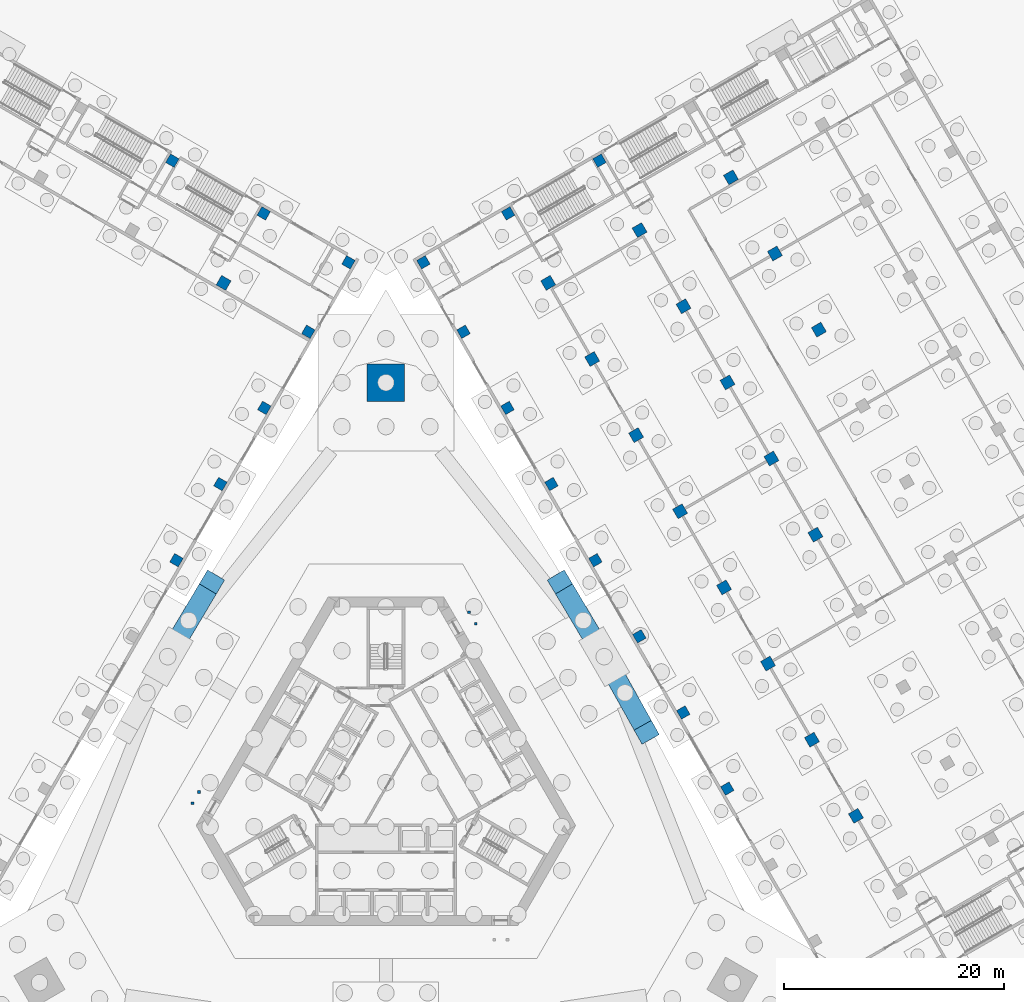
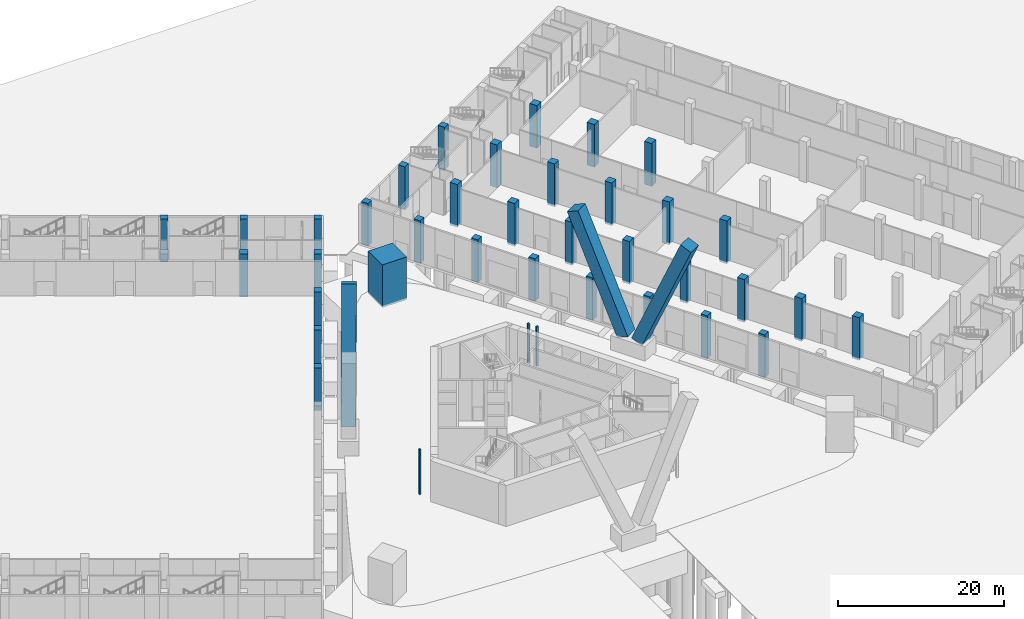
# One storey, part 7 of 38: 42 columns.
"""IFC4 building model written with IfcOpenShell, lengths in metres."""

from ifc_helpers import new_model, si_unit, direction, frame, origin, origin_2d, place, context, subcontext, project, spatial, rectangle, extrude, material, material_profile, profile_set, type_object, element, save


model = new_model("IFC4")

# Units and contexts
model_context = context("Model", 3, precision=1e-05, world=origin(), true_north=direction((0.0, 1.0)))
body_context = subcontext(model_context, "Body", "Model", "MODEL_VIEW")
ifc_project = project(units=[si_unit("LENGTHUNIT", "METRE"), si_unit("AREAUNIT", "SQUARE_METRE"), si_unit("VOLUMEUNIT", "CUBIC_METRE"), si_unit("PLANEANGLEUNIT", "RADIAN"), si_unit("MASSUNIT", "GRAM", prefix="KILO")], contexts=[model_context])

# Site, building, storey
site_placement = place(None, origin())
site = spatial("IfcSite", under=ifc_project, at=site_placement, CompositionType="ELEMENT")
building_placement = place(site_placement, origin())
building = spatial("IfcBuilding", under=site, at=building_placement, Name="Mestral Congress Tower", CompositionType="ELEMENT")
storey_placement = place(building_placement, origin())
storey = spatial("IfcBuildingStorey", under=building, at=storey_placement, Name="L00", CompositionType="ELEMENT", Elevation=0.0)

# Columns
ifc_material_1 = material(Name="Concrete C80/95", Category="concrete")
ifc_material_profile_1 = material_profile(ifc_material_1, rectangle(XDim=3.39990234375, YDim=3.39990234375, at=origin_2d()), Name="RC 3400x3400")
ifc_profile_set_1 = profile_set([ifc_material_profile_1], Name="Concrete C80/95")
column_type_1 = type_object("IfcColumnType", Name="Mega column RC 3400x3400 C80/95", PredefinedType="COLUMN", material=ifc_profile_set_1)
column_placement = place(storey_placement, frame((0.0, 36.39892578125, -0.300048828125), z_axis=(0.0, 0.0, 1.0), x_axis=(0.0, 1.0, 0.0)))
element("IfcColumn", 1, at=column_placement, inside=storey, type_object=column_type_1, Name="COL-L00-PY1-N", PredefinedType="COLUMN", context=body_context, shape_type="SweptSolid", body=[
    extrude(rectangle(XDim=3.39990234375, YDim=3.39990234375, at=origin_2d()), origin(), (0.0, 0.0, 1.0), 6.300048828125),
])
ifc_material_2 = material(Name="Concrete C60/75", Category="concrete")
ifc_material_profile_2 = material_profile(ifc_material_2, rectangle(XDim=1.0, YDim=1.0, at=origin_2d()), Name="RC 1000x1000")
ifc_profile_set_2 = profile_set([ifc_material_profile_2], Name="Concrete C60/75")
column_type_2 = type_object("IfcColumnType", Name="Podium column RC 1000x1000 C60/75", PredefinedType="COLUMN", material=ifc_profile_set_2)
for number, where, z_axis, x_axis, name in (
    (2, (42.76806640625, -3.0205078125, -0.300048828125), (0.0, 0.0, 1.0), (-0.5, 0.866025403784, 0.0), "COL-L00-PC-E-03B"),
    (3, (38.76806640625, 3.90771484375, -0.300048828125), (0.0, 0.0, 1.0), (-0.5, 0.866025403784, 0.0), "COL-L00-PC-E-04B"),
    (4, (34.76806640625, 10.835693359375, -0.300048828125), (0.0, 0.0, 1.0), (-0.5, 0.866025403784, 0.0), "COL-L00-PC-E-05B"),
    (5, (30.76806640625, 17.763916015625, -0.300048828125), (0.0, 0.0, 1.0), (-0.5, 0.866025403784, 0.0), "COL-L00-PC-E-06B"),
    (6, (39.08203125, 22.56396484375, -0.300048828125), (0.0, 0.0, 1.0), (-0.5, 0.866025403784, 0.0), "COL-L00-PC-E-06C"),
    (7, (26.76806640625, 24.692138671875, -0.300048828125), (0.0, 0.0, 1.0), (-0.5, 0.866025403784, 0.0), "COL-L00-PC-E-07B"),
    (8, (35.08203125, 29.4921875, -0.300048828125), (0.0, 0.0, 1.0), (-0.5, 0.866025403784, 0.0), "COL-L00-PC-E-07C"),
    (9, (22.76806640625, 31.620361328125, -0.300048828125), (0.0, 0.0, 1.0), (-0.5, 0.866025403784, 0.0), "COL-L00-PC-E-08B"),
    (10, (31.08203125, 36.42041015625, -0.300048828125), (0.0, 0.0, 1.0), (-0.5, 0.866025403784, 0.0), "COL-L00-PC-E-08C"),
    (11, (39.395751953125, 41.220458984375, -0.300048828125), (0.0, 0.0, 1.0), (-0.5, 0.866025403784, 0.0), "COL-L00-PC-E-08D"),
    (12, (18.76806640625, 38.548583984375, -0.300048828125), (0.0, 0.0, 1.0), (-0.5, 0.866025403784, 0.0), "COL-L00-PC-E-09B"),
    (13, (27.08203125, 43.3486328125, -0.300048828125), (0.0, 0.0, 1.0), (-0.5, 0.866025403784, 0.0), "COL-L00-PC-E-09C"),
    (14, (35.395751953125, 48.148681640625, -0.300048828125), (0.0, 0.0, 1.0), (-0.5, 0.866025403784, 0.0), "COL-L00-PC-E-09D"),
    (15, (14.76806640625, 45.476806640625, -0.300048828125), (0.0, 0.0, 1.0), (-0.5, 0.866025403784, 0.0), "COL-L00-PC-E-10B"),
    (16, (23.08203125, 50.27685546875, -0.300048828125), (0.0, 0.0, 1.0), (-0.5, 0.866025403784, 0.0), "COL-L00-PC-E-10C"),
    (17, (31.395751953125, 55.076904296875, -0.300048828125), (0.0, 0.0, 1.0), (-0.5, 0.866025403784, 0.0), "COL-L00-PC-E-10D"),
    (18, (-14.76806640625, 45.476806640625, -0.300048828125), (0.0, 0.0, 1.0), (-0.5, -0.866025403784, 0.0), "COL-L00-PC-W-02B"),
):
    element("IfcColumn", number, at=place(storey_placement, frame(where, z_axis=z_axis, x_axis=x_axis)), inside=storey, type_object=column_type_2, Name=name, PredefinedType="COLUMN", context=body_context, shape_type="SweptSolid", body=[
        extrude(rectangle(XDim=1.0, YDim=1.0, at=origin_2d()), origin(), (0.0, 0.0, 1.0), 6.300048828125),
    ])
ifc_material_3 = material(Name="Concrete C50/60", Category="concrete")
ifc_material_profile_3 = material_profile(ifc_material_3, rectangle(XDim=0.89990234375, YDim=0.89990234375, at=origin_2d()), Name="RC 900x900")
ifc_profile_set_3 = profile_set([ifc_material_profile_3], Name="Concrete C50/60")
column_type_3 = type_object("IfcColumnType", Name="Podium column RC 900x900 C50/60", PredefinedType="COLUMN", material=ifc_profile_set_3)
for number, where, z_axis, x_axis, name in (
    (19, (31.060546875, -0.54248046875, -0.300048828125), (0.0, 0.0, 1.0), (-0.5, 0.866025403784, 0.0), "COL-L00-PC-E-04A"),
    (20, (27.060546875, 6.3857421875, -0.300048828125), (0.0, 0.0, 1.0), (-0.5, 0.866025403784, 0.0), "COL-L00-PC-E-05A"),
    (21, (23.060546875, 13.31396484375, -0.300048828125), (0.0, 0.0, 1.0), (-0.5, 0.866025403784, 0.0), "COL-L00-PC-E-06A"),
    (22, (19.060546875, 20.2421875, -0.300048828125), (0.0, 0.0, 1.0), (-0.5, 0.866025403784, 0.0), "COL-L00-PC-E-07A"),
    (23, (15.060546875, 27.17041015625, -0.300048828125), (0.0, 0.0, 1.0), (-0.5, 0.866025403784, 0.0), "COL-L00-PC-E-08A"),
    (24, (11.060546875, 34.0986328125, -0.300048828125), (0.0, 0.0, 1.0), (-0.5, 0.866025403784, 0.0), "COL-L00-PC-E-09A"),
    (25, (7.060546875, 41.02685546875, -0.300048828125), (0.0, 0.0, 1.0), (-0.5, 0.866025403784, 0.0), "COL-L00-PC-E-10A"),
    (26, (3.410400390625, 47.348876953125, -0.300048828125), (0.0, 0.0, 1.0), (-0.5, 0.866025403784, 0.0), "COL-L00-PC-E-11A"),
    (27, (11.1181640625, 51.798828125, -0.300048828125), (0.0, 0.0, 1.0), (-0.5, 0.866025403784, 0.0), "COL-L00-PC-E-11B"),
    (28, (19.431884765625, 56.598876953125, -0.300048828125), (0.0, 0.0, 1.0), (-0.5, 0.866025403784, 0.0), "COL-L00-PC-E-11C"),
    (29, (-3.410400390625, 47.348876953125, -0.300048828125), (0.0, 0.0, 1.0), (-0.5, -0.866025403784, 0.0), "COL-L00-PC-W-01A"),
    (30, (-11.1181640625, 51.798828125, -0.300048828125), (0.0, 0.0, 1.0), (-0.5, -0.866025403784, 0.0), "COL-L00-PC-W-01B"),
    (31, (-19.431884765625, 56.598876953125, -0.300048828125), (0.0, 0.0, 1.0), (-0.5, -0.866025403784, 0.0), "COL-L00-PC-W-01C"),
    (32, (-7.060546875, 41.02685546875, -0.300048828125), (0.0, 0.0, 1.0), (-0.5, -0.866025403784, 0.0), "COL-L00-PC-W-02A"),
    (33, (-11.060546875, 34.0986328125, -0.300048828125), (0.0, 0.0, 1.0), (-0.5, -0.866025403784, 0.0), "COL-L00-PC-W-03A"),
    (34, (-15.060546875, 27.17041015625, -0.300048828125), (0.0, 0.0, 1.0), (-0.5, -0.866025403784, 0.0), "COL-L00-PC-W-04A"),
    (35, (-19.060546875, 20.2421875, -0.300048828125), (0.0, 0.0, 1.0), (-0.5, -0.866025403784, 0.0), "COL-L00-PC-W-05A"),
):
    element("IfcColumn", number, at=place(storey_placement, frame(where, z_axis=z_axis, x_axis=x_axis)), inside=storey, type_object=column_type_3, Name=name, PredefinedType="COLUMN", context=body_context, shape_type="SweptSolid", body=[
        extrude(rectangle(XDim=0.89990234375, YDim=0.89990234375, at=origin_2d()), origin(), (0.0, 0.0, 1.0), 6.300048828125),
    ])
ifc_material_4 = material(Name="Concrete C40/50", Category="concrete")
ifc_material_profile_4 = material_profile(ifc_material_4, rectangle(XDim=0.25, YDim=0.25, at=origin_2d()), Name="RC 250x250")
ifc_profile_set_4 = profile_set([ifc_material_profile_4], Name="Concrete C40/50")
column_type_4 = type_object("IfcColumnType", Name="Podium door landing column RC 250x250 C40/50", PredefinedType="COLUMN", material=ifc_profile_set_4)
for number, where, z_axis, x_axis, name in (
    (36, (8.16650390625, 14.455322265625, 0.0), (0.0, 0.0, 1.0), (1.0, 0.0, 0.0), "pd-dl-XD2-L01-C1-L00"),
    (37, (7.56640625, 15.49462890625, 0.0), (0.0, 0.0, 1.0), (1.0, 0.0, 0.0), "pd-dl-XD2-L01-C2-L00"),
    (38, (-17.0, -0.844970703125, 0.0), (0.0, 0.0, 1.0), (1.0, 0.0, 0.0), "pd-dl-XD3-L01-C1-L00"),
    (39, (-17.60009765625, -1.88427734375, 0.0), (0.0, 0.0, 1.0), (1.0, 0.0, 0.0), "pd-dl-XD3-L01-C2-L00"),
):
    element("IfcColumn", number, at=place(storey_placement, frame(where, z_axis=z_axis, x_axis=x_axis)), inside=storey, type_object=column_type_4, Name=name, PredefinedType="COLUMN", context=body_context, shape_type="SweptSolid", body=[
        extrude(rectangle(XDim=0.25, YDim=0.25, at=origin_2d()), origin(), (0.0, 0.0, 1.0), 5.800048828125),
    ])
ifc_material_profile_5 = material_profile(ifc_material_1, rectangle(XDim=1.800048828125, YDim=1.60009765625, at=origin_2d()), Name="RC 1800x1600")
ifc_profile_set_5 = profile_set([ifc_material_profile_5], Name="Concrete C80/95")
column_type_5 = type_object("IfcColumnType", Name="V leg RC 1800x1600 C80/95", PredefinedType="COLUMN", material=ifc_profile_set_5)
for number, where, z_axis, x_axis, name in (
    (40, (20.35498046875, 10.597412109375, 2.10009765625), (0.191547193373, -0.34185939919, 0.920022730097), (0.872390750772, 0.48880914268, 0.0), "COL-VL-VL-EW"),
    (41, (19.35498046875, 12.329345703125, 2.10009765625), (-0.200269190983, 0.336813845705, 0.920026458578), (-0.859534207637, -0.511078218966, 0.0), "COL-VL-VL-EE"),
    (42, (-19.35498046875, 12.329345703125, 2.10009765625), (0.200269190983, 0.336813845705, 0.920026458578), (-0.859534207637, 0.511078218966, 0.0), "COL-VL-VL-WW"),
):
    element("IfcColumn", number, at=place(storey_placement, frame(where, z_axis=z_axis, x_axis=x_axis)), inside=storey, type_object=column_type_5, Name=name, PredefinedType="COLUMN", context=body_context, shape_type="SweptSolid", body=[
        extrude(rectangle(XDim=1.800048828125, YDim=1.60009765625, at=origin_2d()), origin(), (0.0, 0.0, 1.0), 17.608154296875),
    ])

save(model, "model.ifc")
